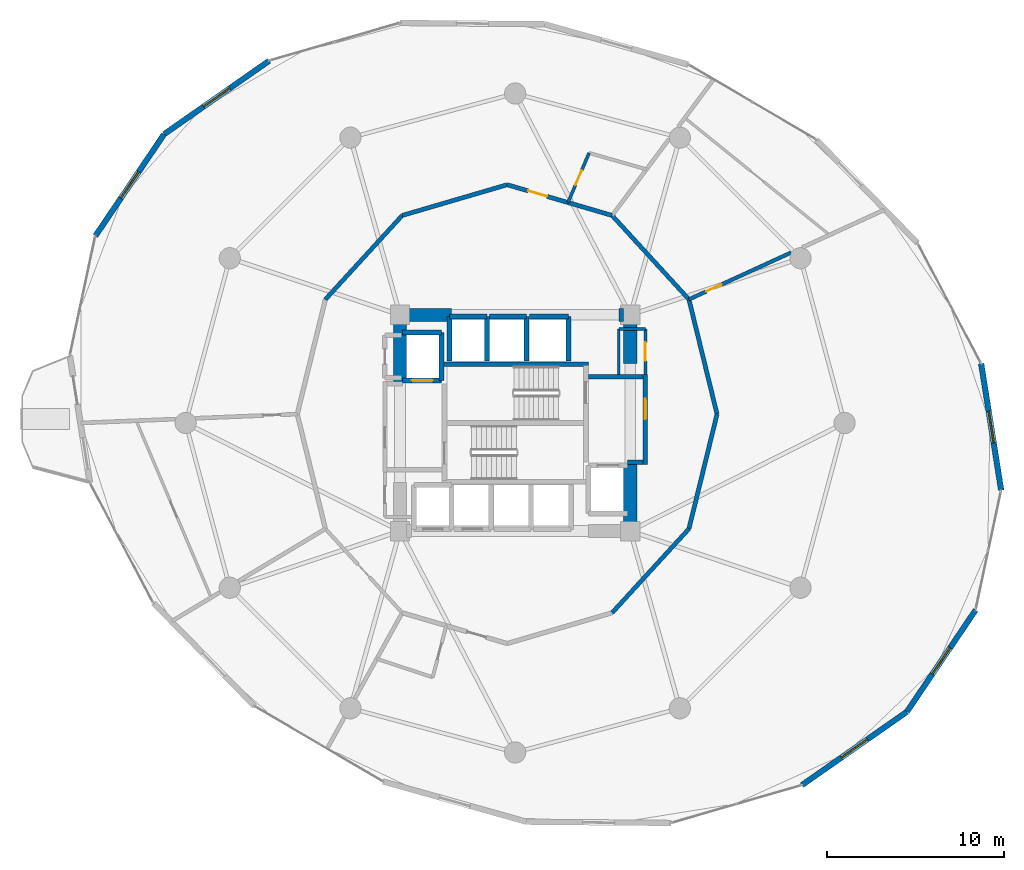
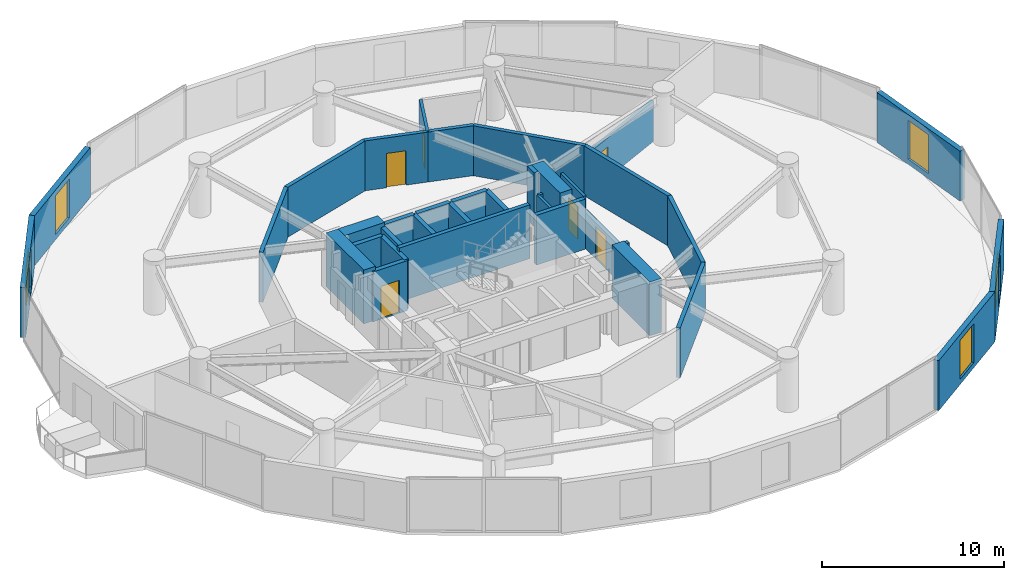
# One storey, part 21 of 24: 37 walls, 6 doors, 5 windows, 11 openings.
"""IFC4 building model written with IfcOpenShell, lengths in metres."""

from ifc_helpers import new_model, si_unit, direction, frame, frame_2d, origin, place, context, subcontext, project, spatial, rectangle, extrude, material, layer, layer_set, type_object, element, fill, save


model = new_model("IFC4")

# Units and contexts
model_context = context("Model", 3, precision=1e-05, world=origin(), true_north=direction((0.0, 1.0)))
body_context = subcontext(model_context, "Body", "Model", "MODEL_VIEW")
ifc_project = project(units=[si_unit("LENGTHUNIT", "METRE"), si_unit("AREAUNIT", "SQUARE_METRE"), si_unit("VOLUMEUNIT", "CUBIC_METRE"), si_unit("PLANEANGLEUNIT", "RADIAN"), si_unit("MASSUNIT", "GRAM", prefix="KILO")], contexts=[model_context])

# Site, building, storey
site_placement = place(None, origin())
site = spatial("IfcSite", under=ifc_project, at=site_placement, CompositionType="ELEMENT")
building_placement = place(site_placement, origin())
building = spatial("IfcBuilding", under=site, at=building_placement, Name="Solvirekh Grand Hotel", CompositionType="ELEMENT")
storey_placement = place(building_placement, frame((0.0, 0.0, 82.39990234375)))
storey = spatial("IfcBuildingStorey", under=building, at=storey_placement, Name="L20", CompositionType="ELEMENT", Elevation=82.39990234375)

# Walls
ifc_material_1 = material(Name="Concrete C50/60", Category="concrete")
ifc_layer_1 = layer(ifc_material_1, 0.35009765625)
ifc_layer_set_1 = layer_set([ifc_layer_1], Name="Concrete C50/60")
wall_type_1 = type_object("IfcWallType", Name="CoreDivWall_RC350", PredefinedType="SOLIDWALL", material=ifc_layer_set_1)
wall_1_placement = place(storey_placement, frame((-4.1298828125, 3.324951171875, 0.0), z_axis=(0.0, 0.0, 1.0), x_axis=(1.0, 0.0, 0.0)))
element("IfcWall", 1, at=wall_1_placement, inside=storey, type_object=wall_type_1, Name="L20 core stair box wall ST-N", PredefinedType="SOLIDWALL", context=body_context, shape_type="SweptSolid", body=[
    extrude(rectangle(XDim=8.259765625, YDim=0.25, at=frame_2d((4.1298828125, 0.0))), origin(), (0.0, 0.0, 1.0), 3.60009765625),
])
ifc_material_2 = material(Name="Concrete C40/50", Category="concrete")
ifc_layer_2 = layer(ifc_material_2, 0.280029296875)
ifc_layer_set_2 = layer_set([ifc_layer_2], Name="Concrete C40/50")
wall_type_2 = type_object("IfcWallType", Name="CoreShaftWall_RC280", PredefinedType="SOLIDWALL", material=ifc_layer_set_2)
wall_2_placement = place(storey_placement, frame((-1.60009765625, 6.0, 0.0), z_axis=(0.0, 0.0, 1.0), x_axis=(-1.0, 0.0, 0.0)))
element("IfcWall", 2, at=wall_2_placement, inside=storey, type_object=wall_type_2, Name="L20 HP-1 hoistway N wall", PredefinedType="SOLIDWALL", context=body_context, shape_type="SweptSolid", body=[
    extrude(rectangle(XDim=2.099853515625, YDim=0.280029296875, at=frame_2d((1.0498046875, 0.0))), origin(), (0.0, 0.0, 1.0), 3.340087890625),
])
for number, where, z_axis, x_axis, name in (
    (3, (-3.699951171875, 6.0, 0.0), (0.0, 0.0, 1.0), (0.0, -1.0, 0.0), "L20 HP-1 hoistway W wall"),
    (4, (-1.60009765625, 3.5, 0.0), (0.0, 0.0, 1.0), (0.0, 1.0, 0.0), "L20 HP-1 hoistway E wall"),
):
    element("IfcWall", number, at=place(storey_placement, frame(where, z_axis=z_axis, x_axis=x_axis)), inside=storey, type_object=wall_type_2, Name=name, PredefinedType="SOLIDWALL", context=body_context, shape_type="SweptSolid", body=[
        extrude(rectangle(XDim=2.5, YDim=0.280029296875, at=frame_2d((1.25, 0.0))), origin(), (0.0, 0.0, 1.0), 3.340087890625),
    ])
wall_3_placement = place(storey_placement, frame((0.64990234375, 6.0, 0.0), z_axis=(0.0, 0.0, 1.0), x_axis=(-1.0, 0.0, 0.0)))
element("IfcWall", 5, at=wall_3_placement, inside=storey, type_object=wall_type_2, Name="L20 HP-2 hoistway N wall", PredefinedType="SOLIDWALL", context=body_context, shape_type="SweptSolid", body=[
    extrude(rectangle(XDim=2.099853515625, YDim=0.280029296875, at=frame_2d((1.0498046875, 0.0))), origin(), (0.0, 0.0, 1.0), 3.340087890625),
])
wall_4_placement = place(storey_placement, frame((0.64990234375, 3.5, 0.0), z_axis=(0.0, 0.0, 1.0), x_axis=(0.0, 1.0, 0.0)))
element("IfcWall", 6, at=wall_4_placement, inside=storey, type_object=wall_type_2, Name="L20 HP-2 hoistway E wall", PredefinedType="SOLIDWALL", context=body_context, shape_type="SweptSolid", body=[
    extrude(rectangle(XDim=2.5, YDim=0.280029296875, at=frame_2d((1.25, 0.0))), origin(), (0.0, 0.0, 1.0), 3.340087890625),
])
wall_5_placement = place(storey_placement, frame((3.0, 6.0, 0.0), z_axis=(0.0, 0.0, 1.0), x_axis=(-1.0, 0.0, 0.0)))
element("IfcWall", 7, at=wall_5_placement, inside=storey, type_object=wall_type_2, Name="L20 EX-1 hoistway N wall", PredefinedType="SOLIDWALL", context=body_context, shape_type="SweptSolid", body=[
    extrude(rectangle(XDim=2.199951171875, YDim=0.280029296875, at=frame_2d((1.10009765625, 0.0))), origin(), (0.0, 0.0, 1.0), 3.340087890625),
])
wall_6_placement = place(storey_placement, frame((3.0, 3.5, 0.0), z_axis=(0.0, 0.0, 1.0), x_axis=(0.0, 1.0, 0.0)))
element("IfcWall", 8, at=wall_6_placement, inside=storey, type_object=wall_type_2, Name="L20 EX-1 hoistway E wall", PredefinedType="SOLIDWALL", context=body_context, shape_type="SweptSolid", body=[
    extrude(rectangle(XDim=2.5, YDim=0.280029296875, at=frame_2d((1.25, 0.0))), origin(), (0.0, 0.0, 1.0), 3.340087890625),
])

# Wall, opening, door
wall_7_placement = place(storey_placement, frame((-6.35009765625, 2.39990234375, 0.0), z_axis=(0.0, 0.0, 1.0), x_axis=(1.0, 0.0, 0.0)))
wall_7 = element("IfcWall", 9, at=wall_7_placement, inside=storey, type_object=wall_type_2, Name="L20 FL-1 hoistway S wall", PredefinedType="SOLIDWALL", context=body_context, shape_type="SweptSolid", body=[
    extrude(rectangle(XDim=2.2001953125, YDim=0.280029296875, at=frame_2d((1.10009765625, 0.0))), origin(), (0.0, 0.0, 1.0), 3.340087890625),
])
opening_1_placement = place(wall_7_placement, frame((0.5, 0.0, 0.0)))
opening_1 = element("IfcOpeningElement", 10, at=opening_1_placement, cuts=wall_7, Name="Opening LD02", PredefinedType="OPENING", context=body_context, shape_type="SweptSolid", body=[
    extrude(rectangle(XDim=1.199951171875, YDim=2.199951171875, at=frame_2d((0.60009765625, 1.10009765625))), frame((0.0, 0.14990234375, 0.0), z_axis=(0.0, -1.0, 0.0), x_axis=(1.0, 0.0, 0.0)), (0.0, 0.0, 1.0), 0.300048828125),
])
ifc_material_3 = material(Name="Fire-Rated Steel Door Assembly", Category="steel")
door_type_1 = type_object("IfcDoorType", Name="Door_LiftFF_1200X2200", OperationType="SLIDING_TO_LEFT", PredefinedType="DOOR", material=ifc_material_3)
door_1_placement = place(opening_1_placement, origin())
door_1 = element("IfcDoor", 11, at=door_1_placement, inside=storey, type_object=door_type_1, Name="L20 FL-1 sliding lift landing door", OperationType="SLIDING_TO_LEFT", OverallHeight=2.199951171875, OverallWidth=1.199951171875, PredefinedType="DOOR", context=body_context, shape_type="SweptSolid", body=[
    extrude(rectangle(XDim=1.199951171875, YDim=2.199951171875, at=frame_2d((0.60009765625, 1.10009765625))), frame((0.0, 0.02490234375, 0.0), z_axis=(0.0, -1.0, 0.0), x_axis=(1.0, 0.0, 0.0)), (0.0, 0.0, 1.0), 0.050048828125),
])
fill(opening_1, door_1)

# Walls
wall_8_placement = place(storey_placement, frame((-4.14990234375, 5.10009765625, 0.0), z_axis=(0.0, 0.0, 1.0), x_axis=(-1.0, 0.0, 0.0)))
element("IfcWall", 12, at=wall_8_placement, inside=storey, type_object=wall_type_2, Name="L20 FL-1 hoistway N wall", PredefinedType="SOLIDWALL", context=body_context, shape_type="SweptSolid", body=[
    extrude(rectangle(XDim=2.2001953125, YDim=0.280029296875, at=frame_2d((1.10009765625, 0.0))), origin(), (0.0, 0.0, 1.0), 3.340087890625),
])
wall_9_placement = place(storey_placement, frame((-4.14990234375, 2.39990234375, 0.0), z_axis=(0.0, 0.0, 1.0), x_axis=(0.0, 1.0, 0.0)))
element("IfcWall", 13, at=wall_9_placement, inside=storey, type_object=wall_type_2, Name="L20 FL-1 hoistway E wall", PredefinedType="SOLIDWALL", context=body_context, shape_type="SweptSolid", body=[
    extrude(rectangle(XDim=2.7001953125, YDim=0.280029296875, at=frame_2d((1.35009765625, 0.0))), origin(), (0.0, 0.0, 1.0), 3.340087890625),
])
ifc_material_4 = material(Name="Concrete C60/75", Category="concrete")
ifc_layer_3 = layer(ifc_material_4, 0.75)
ifc_layer_set_3 = layer_set([ifc_layer_3], Name="Concrete C60/75")
wall_type_3 = type_object("IfcWallType", Name="CoreWall_RC750", PredefinedType="SHEAR", material=ifc_layer_set_3)
wall_10_placement = place(storey_placement, frame((-6.125, 6.10009765625, 0.0), z_axis=(0.0, 0.0, 1.0), x_axis=(1.0, 0.0, 0.0)))
element("IfcWall", 14, at=wall_10_placement, inside=storey, type_object=wall_type_3, Name="L20 core corner shear wall NW-N", PredefinedType="SHEAR", context=body_context, shape_type="SweptSolid", body=[
    extrude(rectangle(XDim=2.52490234375, YDim=0.75, at=frame_2d((1.262451171875, 0.0))), origin(), (0.0, 0.0, 1.0), 3.60009765625),
])
wall_11_placement = place(storey_placement, frame((5.85009765625, 6.10009765625, 0.0), z_axis=(0.0, 0.0, 1.0), x_axis=(1.0, 0.0, 0.0)))
element("IfcWall", 15, at=wall_11_placement, inside=storey, type_object=wall_type_3, Name="L20 core corner shear wall NE-N", PredefinedType="SHEAR", context=body_context, shape_type="SweptSolid", body=[
    extrude(rectangle(XDim=0.27490234375, YDim=0.75, at=frame_2d((0.137451171875, 0.0))), origin(), (0.0, 0.0, 1.0), 3.60009765625),
])
for number, where, z_axis, x_axis, name in (
    (16, (-6.5, 2.35009765625, 0.0), (0.0, 0.0, 1.0), (0.0, 1.0, 0.0), "L20 core corner shear wall WN-W"),
    (17, (6.5, -6.47509765625, 0.0), (0.0, 0.0, 1.0), (0.0, 1.0, 0.0), "L20 core corner shear wall ES-E"),
):
    element("IfcWall", number, at=place(storey_placement, frame(where, z_axis=z_axis, x_axis=x_axis)), inside=storey, type_object=wall_type_3, Name=name, PredefinedType="SHEAR", context=body_context, shape_type="SweptSolid", body=[
        extrude(rectangle(XDim=4.125, YDim=0.75, at=frame_2d((2.0625, 0.0))), origin(), (0.0, 0.0, 1.0), 3.60009765625),
    ])
wall_12_placement = place(storey_placement, frame((6.5, 3.35009765625, 0.0), z_axis=(0.0, 0.0, 1.0), x_axis=(0.0, 1.0, 0.0)))
element("IfcWall", 18, at=wall_12_placement, inside=storey, type_object=wall_type_3, Name="L20 core corner shear wall EN-E", PredefinedType="SHEAR", context=body_context, shape_type="SweptSolid", body=[
    extrude(rectangle(XDim=3.125, YDim=0.75, at=frame_2d((1.5625, 0.0))), origin(), (0.0, 0.0, 1.0), 3.60009765625),
])

# Wall, opening, window
ifc_material_5 = material(Name="Precast concrete C45/55", Category="concrete")
ifc_layer_4 = layer(ifc_material_5, 0.320068359375)
ifc_layer_set_4 = layer_set([ifc_layer_4], Name="Precast concrete C45/55")
wall_type_4 = type_object("IfcWallType", Name="ExtLobbyWall_RC320", PredefinedType="SOLIDWALL", material=ifc_layer_set_4)
wall_13_placement = place(storey_placement, frame((26.31201171875, 3.35107421875, 0.0), z_axis=(0.0, 0.0, 1.0), x_axis=(0.156063094929, -0.987747088278, 0.0)))
wall_13 = element("IfcWall", 19, at=wall_13_placement, inside=storey, type_object=wall_type_4, Name="L20 exterior structural wall chord 2", PredefinedType="SOLIDWALL", context=body_context, shape_type="SweptSolid", body=[
    extrude(rectangle(XDim=7.233642578125, YDim=0.320068359375, at=frame_2d((3.61669921875, 0.0))), origin(), (0.0, 0.0, 1.0), 3.340087890625),
])
opening_2_placement = place(wall_13_placement, frame((2.717041015625, 0.0, 0.35009765625)))
opening_2 = element("IfcOpeningElement", 20, at=opening_2_placement, cuts=wall_13, Name="Opening W02", PredefinedType="OPENING", context=body_context, shape_type="SweptSolid", body=[
    extrude(rectangle(XDim=1.800048828125, YDim=2.60009765625, at=frame_2d((0.89990234375, 1.300048828125))), frame((0.0, 0.169921875, 0.0), z_axis=(0.0, -1.0, 0.0), x_axis=(1.0, 0.0, 0.0)), (0.0, 0.0, 1.0), 0.340087890625),
])
ifc_material_6 = material(Name="Low-E Tinted Bronze Laminated Glass", Category="aluminium")
window_type = type_object("IfcWindowType", Name="Win_LobbyExt_1800X2600", PartitioningType="SINGLE_PANEL", PredefinedType="WINDOW", material=ifc_material_6)
window_1_placement = place(opening_2_placement, origin())
window_1 = element("IfcWindow", 21, at=window_1_placement, inside=storey, type_object=window_type, Name="L20 panoramic bronze-framed window 2", OverallHeight=2.60009765625, OverallWidth=1.800048828125, PartitioningType="SINGLE_PANEL", PredefinedType="WINDOW", context=body_context, shape_type="SweptSolid", body=[
    extrude(rectangle(XDim=1.800048828125, YDim=2.60009765625, at=frame_2d((0.89990234375, 1.300048828125))), frame((0.0, 0.030029296875, 0.0), z_axis=(0.0, -1.0, 0.0), x_axis=(1.0, 0.0, 0.0)), (0.0, 0.0, 1.0), 0.06005859375),
])
fill(opening_2, window_1)

wall_14_placement = place(storey_placement, frame((-19.819091796875, 16.305908203125, 0.0), z_axis=(0.0, 0.0, 1.0), x_axis=(0.819710511055, 0.572778035601, 0.0)))
wall_14 = element("IfcWall", 22, at=wall_14_placement, inside=storey, type_object=wall_type_4, Name="L20 exterior structural wall chord 9", PredefinedType="SOLIDWALL", context=body_context, shape_type="SweptSolid", body=[
    extrude(rectangle(XDim=7.2333984375, YDim=0.320068359375, at=frame_2d((3.61669921875, 0.0))), origin(), (0.0, 0.0, 1.0), 3.340087890625),
])
opening_3_placement = place(wall_14_placement, frame((2.717041015625, 0.0, 0.35009765625)))
opening_3 = element("IfcOpeningElement", 23, at=opening_3_placement, cuts=wall_14, Name="Opening W02", PredefinedType="OPENING", context=body_context, shape_type="SweptSolid", body=[
    extrude(rectangle(XDim=1.800048828125, YDim=2.60009765625, at=frame_2d((0.89990234375, 1.300048828125))), frame((0.0, 0.169921875, 0.0), z_axis=(0.0, -1.0, 0.0), x_axis=(1.0, 0.0, 0.0)), (0.0, 0.0, 1.0), 0.340087890625),
])
window_2_placement = place(opening_3_placement, origin())
window_2 = element("IfcWindow", 24, at=window_2_placement, inside=storey, type_object=window_type, Name="L20 panoramic bronze-framed window 9", OverallHeight=2.60009765625, OverallWidth=1.800048828125, PartitioningType="SINGLE_PANEL", PredefinedType="WINDOW", context=body_context, shape_type="SweptSolid", body=[
    extrude(rectangle(XDim=1.800048828125, YDim=2.60009765625, at=frame_2d((0.89990234375, 1.300048828125))), frame((0.0, 0.030029296875, 0.0), z_axis=(0.0, -1.0, 0.0), x_axis=(1.0, 0.0, 0.0)), (0.0, 0.0, 1.0), 0.06005859375),
])
fill(opening_3, window_2)

wall_15_placement = place(storey_placement, frame((-23.696044921875, 10.56689453125, 0.0), z_axis=(0.0, 0.0, 1.0), x_axis=(0.559782187298, 0.828639790732, 0.0)))
wall_15 = element("IfcWall", 25, at=wall_15_placement, inside=storey, type_object=wall_type_4, Name="L20 exterior structural wall chord 10", PredefinedType="SOLIDWALL", context=body_context, shape_type="SweptSolid", body=[
    extrude(rectangle(XDim=6.92578125, YDim=0.320068359375, at=frame_2d((3.462890625, 0.0))), origin(), (0.0, 0.0, 1.0), 3.340087890625),
])
opening_4_placement = place(wall_15_placement, frame((2.56298828125, 0.0, 0.35009765625)))
opening_4 = element("IfcOpeningElement", 26, at=opening_4_placement, cuts=wall_15, Name="Opening W02", PredefinedType="OPENING", context=body_context, shape_type="SweptSolid", body=[
    extrude(rectangle(XDim=1.800048828125, YDim=2.60009765625, at=frame_2d((0.89990234375, 1.300048828125))), frame((0.0, 0.169921875, 0.0), z_axis=(0.0, -1.0, 0.0), x_axis=(1.0, 0.0, 0.0)), (0.0, 0.0, 1.0), 0.340087890625),
])
window_3_placement = place(opening_4_placement, origin())
window_3 = element("IfcWindow", 27, at=window_3_placement, inside=storey, type_object=window_type, Name="L20 panoramic bronze-framed window 10", OverallHeight=2.60009765625, OverallWidth=1.800048828125, PartitioningType="SINGLE_PANEL", PredefinedType="WINDOW", context=body_context, shape_type="SweptSolid", body=[
    extrude(rectangle(XDim=1.800048828125, YDim=2.60009765625, at=frame_2d((0.89990234375, 1.300048828125))), frame((0.0, 0.030029296875, 0.0), z_axis=(0.0, -1.0, 0.0), x_axis=(1.0, 0.0, 0.0)), (0.0, 0.0, 1.0), 0.06005859375),
])
fill(opening_4, window_3)

wall_16_placement = place(storey_placement, frame((22.118896484375, -16.305908203125, 0.0), z_axis=(0.0, 0.0, 1.0), x_axis=(-0.819699437291, -0.57279388309, 0.0)))
wall_16 = element("IfcWall", 28, at=wall_16_placement, inside=storey, type_object=wall_type_4, Name="L20 exterior structural wall chord 19", PredefinedType="SOLIDWALL", context=body_context, shape_type="SweptSolid", body=[
    extrude(rectangle(XDim=7.233154296875, YDim=0.320068359375, at=frame_2d((3.61669921875, 0.0))), origin(), (0.0, 0.0, 1.0), 3.340087890625),
])
opening_5_placement = place(wall_16_placement, frame((2.717041015625, 0.0, 0.35009765625)))
opening_5 = element("IfcOpeningElement", 29, at=opening_5_placement, cuts=wall_16, Name="Opening W02", PredefinedType="OPENING", context=body_context, shape_type="SweptSolid", body=[
    extrude(rectangle(XDim=1.800048828125, YDim=2.60009765625, at=frame_2d((0.89990234375, 1.300048828125))), frame((0.0, 0.169921875, 0.0), z_axis=(0.0, -1.0, 0.0), x_axis=(1.0, 0.0, 0.0)), (0.0, 0.0, 1.0), 0.340087890625),
])
window_4_placement = place(opening_5_placement, origin())
window_4 = element("IfcWindow", 30, at=window_4_placement, inside=storey, type_object=window_type, Name="L20 panoramic bronze-framed window 19", OverallHeight=2.60009765625, OverallWidth=1.800048828125, PartitioningType="SINGLE_PANEL", PredefinedType="WINDOW", context=body_context, shape_type="SweptSolid", body=[
    extrude(rectangle(XDim=1.800048828125, YDim=2.60009765625, at=frame_2d((0.89990234375, 1.300048828125))), frame((0.0, 0.030029296875, 0.0), z_axis=(0.0, -1.0, 0.0), x_axis=(1.0, 0.0, 0.0)), (0.0, 0.0, 1.0), 0.06005859375),
])
fill(opening_5, window_4)

wall_17_placement = place(storey_placement, frame((25.99609375, -10.56689453125, 0.0), z_axis=(0.0, 0.0, 1.0), x_axis=(-0.559806391306, -0.828623439358, 0.0)))
wall_17 = element("IfcWall", 31, at=wall_17_placement, inside=storey, type_object=wall_type_4, Name="L20 exterior structural wall chord 20", PredefinedType="SOLIDWALL", context=body_context, shape_type="SweptSolid", body=[
    extrude(rectangle(XDim=6.926025390625, YDim=0.320068359375, at=frame_2d((3.462890625, 0.0))), origin(), (0.0, 0.0, 1.0), 3.340087890625),
])
opening_6_placement = place(wall_17_placement, frame((2.56298828125, 0.0, 0.35009765625)))
opening_6 = element("IfcOpeningElement", 32, at=opening_6_placement, cuts=wall_17, Name="Opening W02", PredefinedType="OPENING", context=body_context, shape_type="SweptSolid", body=[
    extrude(rectangle(XDim=1.800048828125, YDim=2.60009765625, at=frame_2d((0.89990234375, 1.300048828125))), frame((0.0, 0.169921875, 0.0), z_axis=(0.0, -1.0, 0.0), x_axis=(1.0, 0.0, 0.0)), (0.0, 0.0, 1.0), 0.340087890625),
])
window_5_placement = place(opening_6_placement, origin())
window_5 = element("IfcWindow", 33, at=window_5_placement, inside=storey, type_object=window_type, Name="L20 panoramic bronze-framed window 20", OverallHeight=2.60009765625, OverallWidth=1.800048828125, PartitioningType="SINGLE_PANEL", PredefinedType="WINDOW", context=body_context, shape_type="SweptSolid", body=[
    extrude(rectangle(XDim=1.800048828125, YDim=2.60009765625, at=frame_2d((0.89990234375, 1.300048828125))), frame((0.0, 0.030029296875, 0.0), z_axis=(0.0, -1.0, 0.0), x_axis=(1.0, 0.0, 0.0)), (0.0, 0.0, 1.0), 0.06005859375),
])
fill(opening_6, window_5)

# Wall, opening, door
ifc_material_7 = material(Name="Acoustic Gypsum Partition Assembly")
ifc_layer_5 = layer(ifc_material_7, 0.1650390625)
ifc_layer_set_5 = layer_set([ifc_layer_5], Name="Acoustic Gypsum Partition Assembly")
wall_type_5 = type_object("IfcWallType", Name="Part_BOH_165", PredefinedType="PARTITIONING", material=ifc_layer_set_5)
wall_18_placement = place(storey_placement, frame((7.35009765625, 2.75, 0.0), z_axis=(0.0, 0.0, 1.0), x_axis=(0.0, 1.0, 0.0)))
wall_18 = element("IfcWall", 34, at=wall_18_placement, inside=storey, type_object=wall_type_5, Name="L20 L20 Telecom Distribution Room wall 2", PredefinedType="PARTITIONING", context=body_context, shape_type="SweptSolid", body=[
    extrude(rectangle(XDim=2.550048828125, YDim=0.1650390625, at=frame_2d((1.27490234375, 0.0))), origin(), (0.0, 0.0, 1.0), 3.340087890625),
])
opening_7_placement = place(wall_18_placement, frame((0.75, 0.0, 0.0)))
opening_7 = element("IfcOpeningElement", 35, at=opening_7_placement, cuts=wall_18, Name="Opening D12", PredefinedType="OPENING", context=body_context, shape_type="SweptSolid", body=[
    extrude(rectangle(XDim=1.050048828125, YDim=2.14990234375, at=frame_2d((0.52490234375, 1.074951171875))), frame((0.0, 0.092529296875, 0.0), z_axis=(0.0, -1.0, 0.0), x_axis=(1.0, 0.0, 0.0)), (0.0, 0.0, 1.0), 0.18505859375),
])
door_type_2 = type_object("IfcDoorType", Name="Door_PlantBOH_1050X2150", OperationType="NOTDEFINED", PredefinedType="DOOR", material=ifc_material_3)
door_2_placement = place(opening_7_placement, origin())
door_2 = element("IfcDoor", 36, at=door_2_placement, inside=storey, type_object=door_type_2, Name="L20 L20 Telecom Distribution Room door", OperationType="SINGLE_SWING_RIGHT", OverallHeight=2.14990234375, OverallWidth=1.050048828125, PredefinedType="DOOR", context=body_context, shape_type="SweptSolid", body=[
    extrude(rectangle(XDim=1.050048828125, YDim=2.14990234375, at=frame_2d((0.52490234375, 1.074951171875))), frame((0.0, 0.02490234375, 0.0), z_axis=(0.0, -1.0, 0.0), x_axis=(1.0, 0.0, 0.0)), (0.0, 0.0, 1.0), 0.050048828125),
])
fill(opening_7, door_2)

# Walls
wall_19_placement = place(storey_placement, frame((7.35009765625, 5.300048828125, 0.0), z_axis=(0.0, 0.0, 1.0), x_axis=(-1.0, 0.0, 0.0)))
element("IfcWall", 37, at=wall_19_placement, inside=storey, type_object=wall_type_5, Name="L20 L20 Telecom Distribution Room wall 3", PredefinedType="PARTITIONING", context=body_context, shape_type="SweptSolid", body=[
    extrude(rectangle(XDim=1.5, YDim=0.1650390625, at=frame_2d((0.75, 0.0))), origin(), (0.0, 0.0, 1.0), 2.425048828125),
])
wall_20_placement = place(storey_placement, frame((5.85009765625, 5.300048828125, 0.0), z_axis=(0.0, 0.0, 1.0), x_axis=(0.0, -1.0, 0.0)))
element("IfcWall", 38, at=wall_20_placement, inside=storey, type_object=wall_type_5, Name="L20 L20 Telecom Distribution Room wall 4", PredefinedType="PARTITIONING", context=body_context, shape_type="SweptSolid", body=[
    extrude(rectangle(XDim=2.550048828125, YDim=0.1650390625, at=frame_2d((1.27490234375, 0.0))), origin(), (0.0, 0.0, 1.0), 2.425048828125),
])

# Wall, opening, door
ifc_layer_6 = layer(ifc_material_7, 0.239990234375)
ifc_layer_set_6 = layer_set([ifc_layer_6], Name="Acoustic Gypsum Partition Assembly")
wall_type_6 = type_object("IfcWallType", Name="Part_Corridor_240", PredefinedType="PARTITIONING", material=ifc_layer_set_6)
wall_21_placement = place(storey_placement, frame((7.35009765625, -2.340087890625, 0.0), z_axis=(0.0, 0.0, 1.0), x_axis=(0.0, 1.0, 0.0)))
wall_21 = element("IfcWall", 39, at=wall_21_placement, inside=storey, type_object=wall_type_6, Name="L20 east firefighting lobby smoke screen wall", PredefinedType="PARTITIONING", context=body_context, shape_type="SweptSolid", body=[
    extrude(rectangle(XDim=5.070068359375, YDim=0.239990234375, at=frame_2d((2.53515625, 0.0))), origin(), (0.0, 0.0, 1.0), 2.425048828125),
])
opening_8_placement = place(wall_21_placement, frame((2.548095703125, 0.0, 0.0)))
opening_8 = element("IfcOpeningElement", 40, at=opening_8_placement, cuts=wall_21, Name="Opening D06", PredefinedType="OPENING", context=body_context, shape_type="SweptSolid", body=[
    extrude(rectangle(XDim=1.14990234375, YDim=2.199951171875, at=frame_2d((0.574951171875, 1.10009765625))), frame((0.0, 0.1298828125, 0.0), z_axis=(0.0, -1.0, 0.0), x_axis=(1.0, 0.0, 0.0)), (0.0, 0.0, 1.0), 0.260009765625),
])
door_type_3 = type_object("IfcDoorType", Name="Door_FFLobby_1150X2200", OperationType="NOTDEFINED", PredefinedType="DOOR", material=ifc_material_3)
door_3_placement = place(opening_8_placement, origin())
door_3 = element("IfcDoor", 41, at=door_3_placement, inside=storey, type_object=door_type_3, Name="L20 east firefighting lobby smoke door", OperationType="SINGLE_SWING_LEFT", OverallHeight=2.199951171875, OverallWidth=1.14990234375, PredefinedType="DOOR", context=body_context, shape_type="SweptSolid", body=[
    extrude(rectangle(XDim=1.14990234375, YDim=2.199951171875, at=frame_2d((0.574951171875, 1.10009765625))), frame((0.0, 0.02490234375, 0.0), z_axis=(0.0, -1.0, 0.0), x_axis=(1.0, 0.0, 0.0)), (0.0, 0.0, 1.0), 0.050048828125),
])
fill(opening_8, door_3)

# Walls
wall_22_placement = place(storey_placement, frame((5.47509765625, -10.715087890625, 0.0), z_axis=(0.0, 0.0, 1.0), x_axis=(0.675041189424, 0.737780043496, 0.0)))
element("IfcWall", 42, at=wall_22_placement, inside=storey, type_object=wall_type_6, Name="L20 Presidential Suite 2201 Living Room corridor wall 2", PredefinedType="PARTITIONING", context=body_context, shape_type="SweptSolid", body=[
    extrude(rectangle(XDim=6.424560546875, YDim=0.239990234375, at=frame_2d((3.21240234375, 0.0))), origin(), (0.0, 0.0, 1.0), 3.340087890625),
])
for number, where, z_axis, x_axis, name in (
    (43, (9.81201171875, -5.97509765625, 0.0), (0.0, 0.0, 1.0), (0.238173299928, 0.971222672306, 0.0), "L20 Presidential Suite 2201 Living Room corridor wall 3"),
    (44, (11.39990234375, 0.5, 0.0), (0.0, 0.0, 1.0), (-0.238173299928, 0.971222672306, 0.0), "L20 Presidential Suite 2201 Living Room corridor wall 4"),
):
    element("IfcWall", number, at=place(storey_placement, frame(where, z_axis=z_axis, x_axis=x_axis)), inside=storey, type_object=wall_type_6, Name=name, PredefinedType="PARTITIONING", context=body_context, shape_type="SweptSolid", body=[
        extrude(rectangle(XDim=6.6669921875, YDim=0.239990234375, at=frame_2d((3.33349609375, 0.0))), origin(), (0.0, 0.0, 1.0), 3.340087890625),
    ])
wall_23_placement = place(storey_placement, frame((9.81201171875, 6.97509765625, 0.0), z_axis=(0.0, 0.0, 1.0), x_axis=(-0.675041189424, 0.737780043496, 0.0)))
element("IfcWall", 45, at=wall_23_placement, inside=storey, type_object=wall_type_6, Name="L20 Presidential Suite 2201 Suite Foyer corridor enclosure wall", PredefinedType="PARTITIONING", context=body_context, shape_type="SweptSolid", body=[
    extrude(rectangle(XDim=6.424560546875, YDim=0.239990234375, at=frame_2d((3.21240234375, 0.0))), origin(), (0.0, 0.0, 1.0), 3.340087890625),
])
wall_24_placement = place(storey_placement, frame((5.47509765625, 11.715087890625, 0.0), z_axis=(0.0, 0.0, 1.0), x_axis=(-0.959684159597, 0.281080618005, 0.0)))
element("IfcWall", 46, at=wall_24_placement, inside=storey, type_object=wall_type_6, Name="L20 En-suite Bathroom 2202 corridor backing wall", PredefinedType="PARTITIONING", context=body_context, shape_type="SweptSolid", body=[
    extrude(rectangle(XDim=2.593505859375, YDim=0.239990234375, at=frame_2d((1.296875, 0.0))), origin(), (0.0, 0.0, 1.0), 3.340087890625),
])
wall_25_placement = place(storey_placement, frame((-0.449951171875, 13.449951171875, 0.0), z_axis=(0.0, 0.0, 1.0), x_axis=(-0.959706719045, -0.281003582576, 0.0)))
element("IfcWall", 47, at=wall_25_placement, inside=storey, type_object=wall_type_6, Name="L20 Presidential Suite 2202 Living Room corridor wall 1", PredefinedType="PARTITIONING", context=body_context, shape_type="SweptSolid", body=[
    extrude(rectangle(XDim=6.173828125, YDim=0.239990234375, at=frame_2d((3.0869140625, 0.0))), origin(), (0.0, 0.0, 1.0), 3.340087890625),
])
wall_26_placement = place(storey_placement, frame((-6.375, 11.715087890625, 0.0), z_axis=(0.0, 0.0, 1.0), x_axis=(-0.675041189424, -0.737780043496, 0.0)))
element("IfcWall", 48, at=wall_26_placement, inside=storey, type_object=wall_type_6, Name="L20 Presidential Suite 2202 Living Room corridor wall 2", PredefinedType="PARTITIONING", context=body_context, shape_type="SweptSolid", body=[
    extrude(rectangle(XDim=6.424560546875, YDim=0.239990234375, at=frame_2d((3.21240234375, 0.0))), origin(), (0.0, 0.0, 1.0), 3.340087890625),
])

# Wall, opening, door
wall_27_placement = place(storey_placement, frame((2.986083984375, 12.444091796875, 0.0), z_axis=(0.0, 0.0, 1.0), x_axis=(-0.959723057579, 0.280947775844, 0.0)))
wall_27 = element("IfcWall", 49, at=wall_27_placement, inside=storey, type_object=wall_type_6, Name="L20 Presidential Suite 2202 Living Room entrance wall", PredefinedType="PARTITIONING", context=body_context, shape_type="SweptSolid", body=[
    extrude(rectangle(XDim=3.580322265625, YDim=0.239990234375, at=frame_2d((1.7900390625, 0.0))), origin(), (0.0, 0.0, 1.0), 3.340087890625),
])
opening_9_placement = place(wall_27_placement, frame((1.239990234375, 0.0, 0.0)))
opening_9 = element("IfcOpeningElement", 50, at=opening_9_placement, cuts=wall_27, Name="Opening D08", PredefinedType="OPENING", context=body_context, shape_type="SweptSolid", body=[
    extrude(rectangle(XDim=1.10009765625, YDim=2.300048828125, at=frame_2d((0.550048828125, 1.14990234375))), frame((0.0, 0.1298828125, 0.0), z_axis=(0.0, -1.0, 0.0), x_axis=(1.0, 0.0, 0.0)), (0.0, 0.0, 1.0), 0.260009765625),
])
door_type_4 = type_object("IfcDoorType", Name="Door_SuiteEntry_1100X2300", OperationType="NOTDEFINED", PredefinedType="DOOR", material=ifc_material_3)
door_4_placement = place(opening_9_placement, origin())
door_4 = element("IfcDoor", 51, at=door_4_placement, inside=storey, type_object=door_type_4, Name="L20 Presidential Suite 2202 Living Room entrance door", OperationType="SINGLE_SWING_RIGHT", OverallHeight=2.300048828125, OverallWidth=1.10009765625, PredefinedType="DOOR", context=body_context, shape_type="SweptSolid", body=[
    extrude(rectangle(XDim=1.10009765625, YDim=2.300048828125, at=frame_2d((0.550048828125, 1.14990234375))), frame((0.0, 0.02490234375, 0.0), z_axis=(0.0, -1.0, 0.0), x_axis=(1.0, 0.0, 0.0)), (0.0, 0.0, 1.0), 0.050048828125),
])
fill(opening_9, door_4)

# Walls
ifc_layer_7 = layer(ifc_material_7, 0.260009765625)
ifc_layer_set_7 = layer_set([ifc_layer_7], Name="Acoustic Gypsum Partition Assembly")
wall_type_7 = type_object("IfcWallType", Name="Part_LobbyFF_260", PredefinedType="PARTITIONING", material=ifc_layer_set_7)
wall_28_placement = place(storey_placement, frame((6.35009765625, -2.2099609375, 0.0), z_axis=(0.0, 0.0, 1.0), x_axis=(1.0, 0.0, 0.0)))
element("IfcWall", 52, at=wall_28_placement, inside=storey, type_object=wall_type_7, Name="L20 east firefighting lobby SE cheek", PredefinedType="PARTITIONING", context=body_context, shape_type="SweptSolid", body=[
    extrude(rectangle(XDim=0.875, YDim=0.260009765625, at=frame_2d((0.4375, 0.0))), origin(), (0.0, 0.0, 1.0), 3.340087890625),
])
wall_29_placement = place(storey_placement, frame((4.1298828125, 2.60009765625, 0.0), z_axis=(0.0, 0.0, 1.0), x_axis=(1.0, 0.0, 0.0)))
element("IfcWall", 53, at=wall_29_placement, inside=storey, type_object=wall_type_7, Name="L20 east firefighting lobby north partition", PredefinedType="PARTITIONING", context=body_context, shape_type="SweptSolid", body=[
    extrude(rectangle(XDim=3.09521484375, YDim=0.260009765625, at=frame_2d((1.547607421875, 0.0))), origin(), (0.0, 0.0, 1.0), 3.340087890625),
])

# Wall, opening, door
ifc_layer_8 = layer(ifc_material_7, 0.2099609375)
ifc_layer_set_8 = layer_set([ifc_layer_8], Name="Acoustic Gypsum Partition Assembly")
wall_type_8 = type_object("IfcWallType", Name="Part_SuiteDemise_210", PredefinedType="PARTITIONING", material=ifc_layer_set_8)
wall_30_placement = place(storey_placement, frame((9.81201171875, 6.97509765625, 0.0), z_axis=(0.0, 0.0, 1.0), x_axis=(0.909003441182, 0.416788608192, 0.0)))
wall_30 = element("IfcWall", 54, at=wall_30_placement, inside=storey, type_object=wall_type_8, Name="L20 suite radial wall 2 (A)", PredefinedType="PARTITIONING", context=body_context, shape_type="SweptSolid", body=[
    extrude(rectangle(XDim=6.3408203125, YDim=0.2099609375, at=frame_2d((3.17041015625, 0.0))), origin(), (0.0, 0.0, 1.0), 2.708984375),
])
opening_10_placement = place(wall_30_placement, frame((1.077880859375, 0.0, 0.0)))
opening_10 = element("IfcOpeningElement", 55, at=opening_10_placement, cuts=wall_30, Name="Opening D10", PredefinedType="OPENING", context=body_context, shape_type="SweptSolid", body=[
    extrude(rectangle(XDim=0.949951171875, YDim=2.10009765625, at=frame_2d((0.47509765625, 1.050048828125))), frame((0.0, 0.114990234375, 0.0), z_axis=(0.0, -1.0, 0.0), x_axis=(1.0, 0.0, 0.0)), (0.0, 0.0, 1.0), 0.22998046875),
])
ifc_material_8 = material(Name="Anodized Bronze Aluminium 6063-T6", Category="aluminium")
door_type_5 = type_object("IfcDoorType", Name="Door_RoomInt_950X2100", OperationType="NOTDEFINED", PredefinedType="DOOR", material=ifc_material_8)
door_5_placement = place(opening_10_placement, origin())
door_5 = element("IfcDoor", 56, at=door_5_placement, inside=storey, type_object=door_type_5, Name="L20 Presidential Suite 2201 Suite Foyer suite connecting door", OperationType="SINGLE_SWING_LEFT", OverallHeight=2.10009765625, OverallWidth=0.949951171875, PredefinedType="DOOR", context=body_context, shape_type="SweptSolid", body=[
    extrude(rectangle(XDim=0.949951171875, YDim=2.10009765625, at=frame_2d((0.47509765625, 1.050048828125))), frame((0.0, 0.02490234375, 0.0), z_axis=(0.0, -1.0, 0.0), x_axis=(1.0, 0.0, 0.0)), (0.0, 0.0, 1.0), 0.050048828125),
])
fill(opening_10, door_5)

ifc_layer_9 = layer(ifc_material_7, 0.175048828125)
ifc_layer_set_9 = layer_set([ifc_layer_9], Name="Acoustic Gypsum Partition Assembly")
wall_type_9 = type_object("IfcWallType", Name="Plumb_Ensuite_175", PredefinedType="PLUMBINGWALL", material=ifc_layer_set_9)
wall_31_placement = place(storey_placement, frame((2.986083984375, 12.444091796875, 0.0), z_axis=(0.0, 0.0, 1.0), x_axis=(0.391147437737, 0.920328029537, 0.0)))
wall_31 = element("IfcWall", 57, at=wall_31_placement, inside=storey, type_object=wall_type_9, Name="L20 En-suite Bathroom 2202 entry plumbing wall", PredefinedType="PLUMBINGWALL", context=body_context, shape_type="SweptSolid", body=[
    extrude(rectangle(XDim=3.042236328125, YDim=0.175048828125, at=frame_2d((1.52099609375, 0.0))), origin(), (0.0, 0.0, 1.0), 3.340087890625),
])
opening_11_placement = place(wall_31_placement, frame((1.071044921875, 0.0, 0.0)))
opening_11 = element("IfcOpeningElement", 58, at=opening_11_placement, cuts=wall_31, Name="Opening D09", PredefinedType="OPENING", context=body_context, shape_type="SweptSolid", body=[
    extrude(rectangle(XDim=0.89990234375, YDim=2.10009765625, at=frame_2d((0.449951171875, 1.050048828125))), frame((0.0, 0.09765625, 0.0), z_axis=(0.0, -1.0, 0.0), x_axis=(1.0, 0.0, 0.0)), (0.0, 0.0, 1.0), 0.195068359375),
])
door_type_6 = type_object("IfcDoorType", Name="Door_Ensuite_900X2100", OperationType="NOTDEFINED", PredefinedType="DOOR", material=ifc_material_8)
door_6_placement = place(opening_11_placement, origin())
door_6 = element("IfcDoor", 59, at=door_6_placement, inside=storey, type_object=door_type_6, Name="L20 En-suite Bathroom 2202 door", OperationType="SINGLE_SWING_LEFT", OverallHeight=2.10009765625, OverallWidth=0.89990234375, PredefinedType="DOOR", context=body_context, shape_type="SweptSolid", body=[
    extrude(rectangle(XDim=0.89990234375, YDim=2.10009765625, at=frame_2d((0.449951171875, 1.050048828125))), frame((0.0, 0.02490234375, 0.0), z_axis=(0.0, -1.0, 0.0), x_axis=(1.0, 0.0, 0.0)), (0.0, 0.0, 1.0), 0.050048828125),
])
fill(opening_11, door_6)

save(model, "model.ifc")
